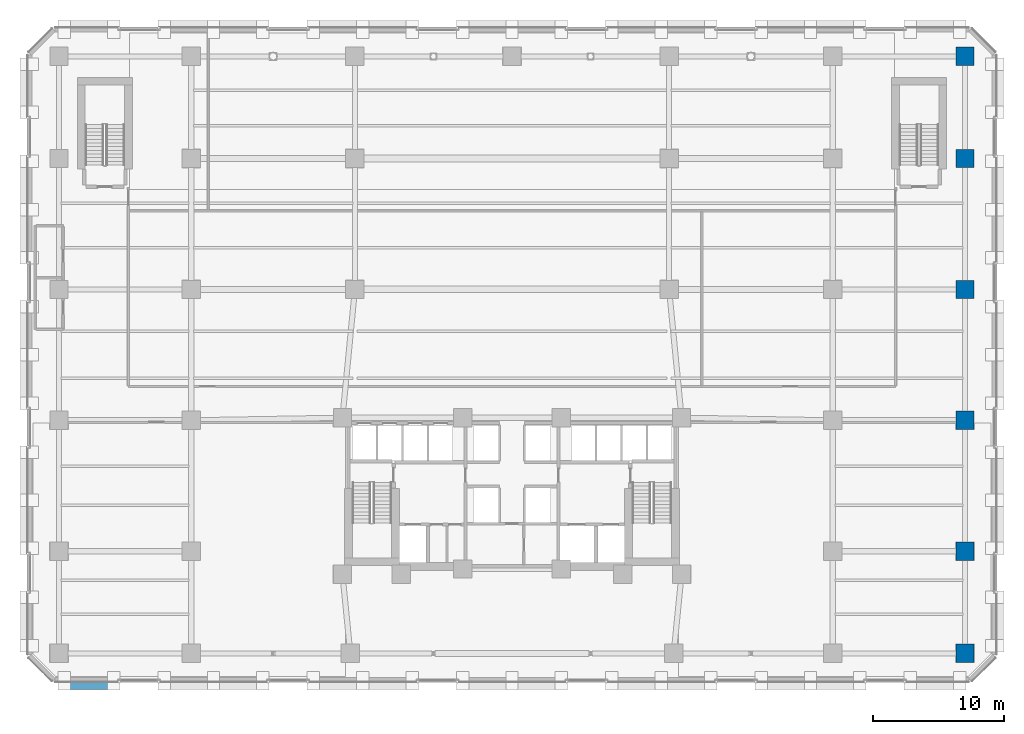
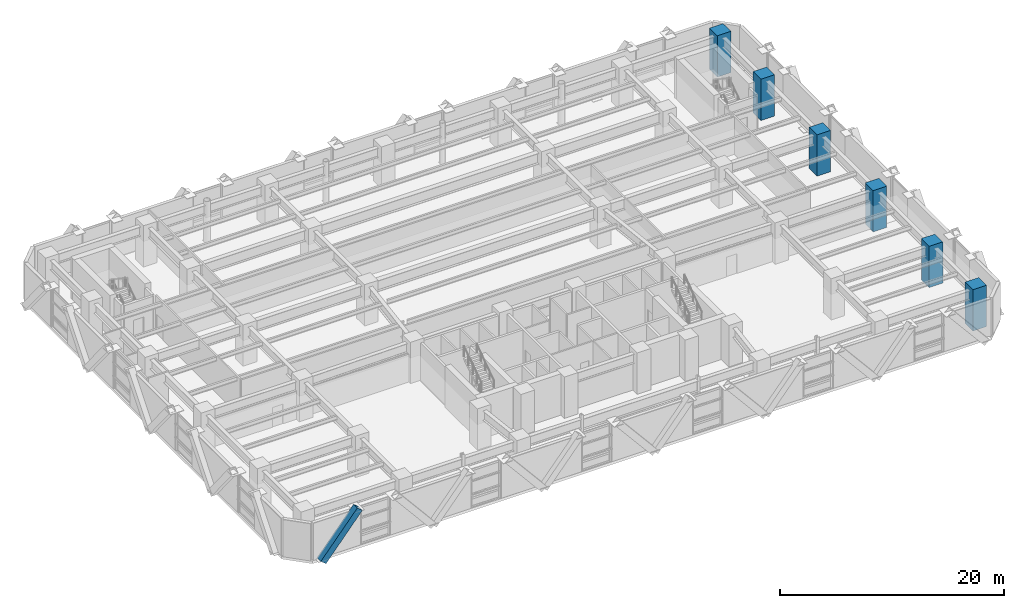
# One storey, part 5 of 26: 6 columns, 1 member.
"""IFC4 building model written with IfcOpenShell, lengths in metres."""

from ifc_helpers import new_model, si_unit, direction, frame, origin, origin_2d, place, context, subcontext, project, spatial, rectangle, hollow_rectangle, extrude, material, material_profile, profile_set, type_object, element, save


model = new_model("IFC4")

# Units and contexts
model_context = context("Model", 3, precision=1e-05, world=origin(), true_north=direction((0.0, 1.0)))
body_context = subcontext(model_context, "Body", "Model", "MODEL_VIEW")
ifc_project = project(units=[si_unit("LENGTHUNIT", "METRE"), si_unit("AREAUNIT", "SQUARE_METRE"), si_unit("VOLUMEUNIT", "CUBIC_METRE"), si_unit("PLANEANGLEUNIT", "RADIAN"), si_unit("MASSUNIT", "GRAM", prefix="KILO")], contexts=[model_context])

# Site, building, storey
site_placement = place(None, origin())
site = spatial("IfcSite", under=ifc_project, at=site_placement, CompositionType="ELEMENT")
building_placement = place(site_placement, origin())
building = spatial("IfcBuilding", under=site, at=building_placement, Name="Quenlor Broadcast Tower", CompositionType="ELEMENT")
storey_placement = place(building_placement, frame((0.0, 0.0, 18.5)))
storey = spatial("IfcBuildingStorey", under=building, at=storey_placement, Name="L04", CompositionType="ELEMENT", Elevation=18.5)

# Columns
ifc_material_1 = material(Name="Concrete C65/80", Category="concrete")
ifc_material_profile_1 = material_profile(ifc_material_1, rectangle(XDim=1.39990234375, YDim=1.39990234375, at=origin_2d()))
ifc_profile_set_1 = profile_set([ifc_material_profile_1], Name="Concrete C65/80 RC1400x1400")
column_type = type_object("IfcColumnType", Name="Podium Mega Column Concrete C65/80 1400", PredefinedType="COLUMN", material=ifc_profile_set_1)
for number, where, z_axis, x_axis, name in (
    (1, (34.60009765625, -22.800048828125, 0.0), (0.0, 0.0, 1.0), (1.0, 0.0, 0.0), "L04 Podium Mega Column PM6"),
    (2, (34.60009765625, -15.0, 0.0), (0.0, 0.0, 1.0), (1.0, 0.0, 0.0), "L04 Podium Mega Column PM10"),
    (3, (34.60009765625, -5.0, 0.0), (0.0, 0.0, 1.0), (1.0, 0.0, 0.0), "L04 Podium Mega Column PM14"),
    (4, (34.60009765625, 5.0, 0.0), (0.0, 0.0, 1.0), (1.0, 0.0, 0.0), "L04 Podium Mega Column PM20"),
    (5, (34.60009765625, 15.0, 0.0), (0.0, 0.0, 1.0), (1.0, 0.0, 0.0), "L04 Podium Mega Column PM26"),
    (6, (34.60009765625, 22.800048828125, 0.0), (0.0, 0.0, 1.0), (1.0, 0.0, 0.0), "L04 Podium Mega Column PM33"),
):
    element("IfcColumn", number, at=place(storey_placement, frame(where, z_axis=z_axis, x_axis=x_axis)), inside=storey, type_object=column_type, Name=name, PredefinedType="COLUMN", context=body_context, shape_type="SweptSolid", body=[
        extrude(rectangle(XDim=1.39990234375, YDim=1.39990234375, at=origin_2d()), origin(), (0.0, 0.0, 1.0), 4.5),
    ])

# Member
ifc_material_2 = material(Name="Steel S355", Category="steel")
ifc_material_profile_2 = material_profile(ifc_material_2, hollow_rectangle(XDim=0.679931640625, YDim=0.679931640625, WallThickness=0.034912109375, at=origin_2d()))
ifc_profile_set_2 = profile_set([ifc_material_profile_2], Name="Steel S355 RHS680x680x35")
member_type = type_object("IfcMemberType", Name="Perimeter Diagonal Lattice Brace Z1 Steel S355 RHS680x35", PredefinedType="BRACE", material=ifc_profile_set_2)
member_placement = place(storey_placement, frame((-34.17724609375, -25.215087890625, -0.1201171875), z_axis=(0.640626831312, 0.0, 0.767852370578), x_axis=(0.0, 1.0, 0.0)))
element("IfcMember", 7, at=member_placement, inside=storey, type_object=member_type, Name="L04 Podium Diamond Lattice S-P6B", PredefinedType="BRACE", context=body_context, shape_type="SweptSolid", body=[
    extrude(hollow_rectangle(XDim=0.679931640625, YDim=0.679931640625, WallThickness=0.034912109375, at=origin_2d()), origin(), (0.0, 0.0, 1.0), 5.860595703125),
])

save(model, "model.ifc")
